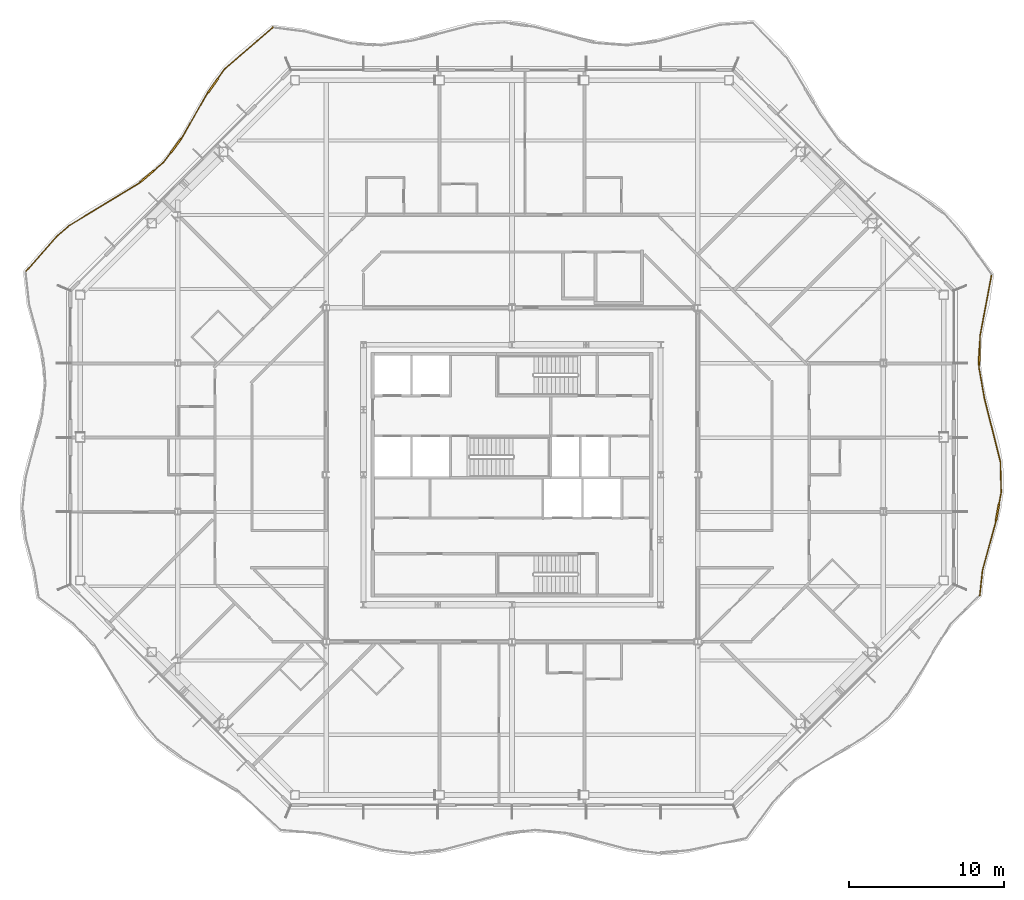
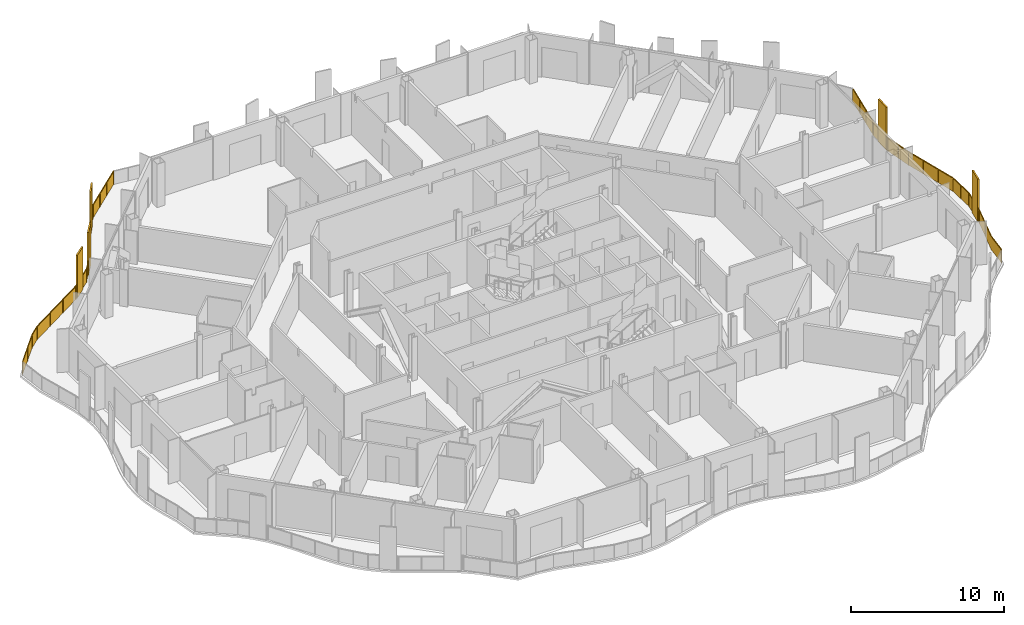
# One storey, part 19 of 21: 2 railings.
"""IFC4 building model written with IfcOpenShell, lengths in metres."""

from ifc_helpers import new_model, si_unit, direction, frame, origin, origin_2d, place, context, subcontext, project, spatial, polyline, rectangle, outline, extrude, material, type_object, element, save


model = new_model("IFC4")

# Units and contexts
model_context = context("Model", 3, precision=1e-05, world=origin(), true_north=direction((0.0, 1.0)))
body_context = subcontext(model_context, "Body", "Model", "MODEL_VIEW")
ifc_project = project(units=[si_unit("LENGTHUNIT", "METRE"), si_unit("AREAUNIT", "SQUARE_METRE"), si_unit("VOLUMEUNIT", "CUBIC_METRE"), si_unit("PLANEANGLEUNIT", "RADIAN"), si_unit("MASSUNIT", "GRAM", prefix="KILO")], contexts=[model_context])

# Site, building, storey
site_placement = place(None, origin())
site = spatial("IfcSite", under=ifc_project, at=site_placement, CompositionType="ELEMENT")
building_placement = place(site_placement, origin())
building = spatial("IfcBuilding", under=site, at=building_placement, Name="Cairn Pilgrim Tower", CompositionType="ELEMENT")
storey_placement = place(building_placement, frame((0.0, 0.0, 154.199951171875)))
storey = spatial("IfcBuildingStorey", under=building, at=storey_placement, Name="L38", CompositionType="ELEMENT", Elevation=154.199951171875)

# Railings
ifc_material = material(Name="Bronze anodised aluminium rail, posts and fin screens with laminated glass infill", Category="aluminium")
railing_type = type_object("IfcRailingType", Name="BALCONY GUARD WITH FIN SCREENS", PredefinedType="GUARDRAIL", material=ifc_material)
railing_1_placement = place(storey_placement, frame((37.433837890625, -5.383544921875, 0.0)))
element("IfcRailing", 1, at=railing_1_placement, inside=storey, type_object=railing_type, Name="Balcony guard BGF-3 with fin screens", PredefinedType="GUARDRAIL", context=body_context, shape_type="SweptSolid", body=[
    extrude(rectangle(XDim=0.050048828125, YDim=0.050048828125, at=origin_2d()), frame((0.0, 0.0, 1.0751953125), z_axis=(0.107721653402, 0.994181092854, 0.0), x_axis=(-0.994181092854, 0.107721653402, 0.0)), (0.0, 0.0, 1.0), 1.6318359375),
    extrude(rectangle(XDim=0.050048828125, YDim=0.050048828125, at=origin_2d()), frame((0.17578125, 1.622314453125, 1.0751953125), z_axis=(0.265536563011, 0.964100790221, 0.0), x_axis=(-0.964100790221, 0.265536563011, 0.0)), (0.0, 0.0, 1.0), 3.14990234375),
    extrude(rectangle(XDim=1.10009765625, YDim=0.110107421875, at=origin_2d()), frame((1.139404296875, 5.34765625, 0.0), z_axis=(0.0, 0.0, 1.0), x_axis=(0.181685040883, 0.983356774482, 0.0)), (0.0, 0.0, 1.0), 3.39990234375),
    extrude(rectangle(XDim=0.050048828125, YDim=0.050048828125, at=origin_2d()), frame((1.01220703125, 4.6591796875, 1.0751953125), z_axis=(0.181685040883, 0.983356774482, 0.0), x_axis=(-0.983356774482, 0.181685040883, 0.0)), (0.0, 0.0, 1.0), 0.150146484375),
    extrude(rectangle(XDim=0.050048828125, YDim=0.050048828125, at=origin_2d()), frame((1.2392578125, 5.888427734375, 1.0751953125), z_axis=(0.181685040883, 0.983356774482, 0.0), x_axis=(-0.983356774482, 0.181685040883, 0.0)), (0.0, 0.0, 1.0), 0.782958984375),
    extrude(rectangle(XDim=0.050048828125, YDim=0.050048828125, at=origin_2d()), frame((1.381591796875, 6.658447265625, 1.0751953125), z_axis=(-0.026755304945, 0.999642012751, 0.0), x_axis=(-0.999642012751, -0.026755304945, 0.0)), (0.0, 0.0, 1.0), 1.9892578125),
    extrude(rectangle(XDim=0.050048828125, YDim=0.050048828125, at=origin_2d()), frame((1.328369140625, 8.64697265625, 1.0751953125), z_axis=(-0.246014670835, 0.969266104707, 0.0), x_axis=(-0.969266104707, -0.246014670835, 0.0)), (0.0, 0.0, 1.0), 4.1591796875),
    extrude(rectangle(XDim=0.050048828125, YDim=0.050048828125, at=origin_2d()), frame((0.30517578125, 12.67822265625, 1.0751953125), z_axis=(-0.174678340577, 0.984625551838, 0.0), x_axis=(-0.984625551838, -0.174678340577, 0.0)), (0.0, 0.0, 1.0), 2.07421875),
    extrude(rectangle(XDim=1.10009765625, YDim=0.110107421875, at=origin_2d()), frame((-0.03173828125, 15.419921875, 0.0), z_axis=(0.0, 0.0, 1.0), x_axis=(0.036209849743, 0.999344208359, 0.0)), (0.0, 0.0, 1.0), 3.39990234375),
    extrude(rectangle(XDim=0.050048828125, YDim=0.050048828125, at=origin_2d()), frame((-0.05712890625, 14.720458984375, 1.0751953125), z_axis=(0.036209849743, 0.999344208359, 0.0), x_axis=(-0.999344208359, 0.036209849743, 0.0)), (0.0, 0.0, 1.0), 0.14990234375),
    extrude(rectangle(XDim=0.050048828125, YDim=0.050048828125, at=origin_2d()), frame((-0.011962890625, 15.969482421875, 1.0751953125), z_axis=(0.036209849743, 0.999344208359, 0.0), x_axis=(-0.999344208359, 0.036209849743, 0.0)), (0.0, 0.0, 1.0), 0.7998046875),
    extrude(rectangle(XDim=0.050048828125, YDim=0.050048828125, at=origin_2d()), frame((0.01708984375, 16.768798828125, 1.0751953125), z_axis=(0.185485249806, 0.982647048591, 0.0), x_axis=(-0.982647048591, 0.185485249806, 0.0)), (0.0, 0.0, 1.0), 3.9658203125),
    extrude(rectangle(XDim=0.050048828125, YDim=0.050048828125, at=origin_2d()), origin(), (0.0, 0.0, 1.0), 1.050048828125),
    extrude(rectangle(XDim=0.050048828125, YDim=0.050048828125, at=origin_2d()), frame((0.17578125, 1.622314453125, 0.0)), (0.0, 0.0, 1.0), 1.050048828125),
    extrude(rectangle(XDim=0.050048828125, YDim=0.050048828125, at=origin_2d()), frame((0.593994140625, 3.140625, 0.0)), (0.0, 0.0, 1.0), 1.050048828125),
    extrude(rectangle(XDim=0.050048828125, YDim=0.050048828125, at=origin_2d()), frame((1.01220703125, 4.6591796875, 0.0)), (0.0, 0.0, 1.0), 1.050048828125),
    extrude(rectangle(XDim=0.050048828125, YDim=0.050048828125, at=origin_2d()), frame((1.034912109375, 4.7822265625, 0.0)), (0.0, 0.0, 1.0), 1.050048828125),
    extrude(rectangle(XDim=0.050048828125, YDim=0.050048828125, at=origin_2d()), frame((1.243896484375, 5.9130859375, 0.0)), (0.0, 0.0, 1.0), 1.050048828125),
    extrude(rectangle(XDim=0.050048828125, YDim=0.050048828125, at=origin_2d()), frame((1.381591796875, 6.658447265625, 0.0)), (0.0, 0.0, 1.0), 1.050048828125),
    extrude(rectangle(XDim=0.050048828125, YDim=0.050048828125, at=origin_2d()), frame((1.35498046875, 7.65283203125, 0.0)), (0.0, 0.0, 1.0), 1.050048828125),
    extrude(rectangle(XDim=0.050048828125, YDim=0.050048828125, at=origin_2d()), frame((1.328369140625, 8.64697265625, 0.0)), (0.0, 0.0, 1.0), 1.050048828125),
    extrude(rectangle(XDim=0.050048828125, YDim=0.050048828125, at=origin_2d()), frame((0.9873046875, 9.99072265625, 0.0)), (0.0, 0.0, 1.0), 1.050048828125),
    extrude(rectangle(XDim=0.050048828125, YDim=0.050048828125, at=origin_2d()), frame((0.646240234375, 11.33447265625, 0.0)), (0.0, 0.0, 1.0), 1.050048828125),
    extrude(rectangle(XDim=0.050048828125, YDim=0.050048828125, at=origin_2d()), frame((0.30517578125, 12.67822265625, 0.0)), (0.0, 0.0, 1.0), 1.050048828125),
    extrude(rectangle(XDim=0.050048828125, YDim=0.050048828125, at=origin_2d()), frame((0.1240234375, 13.69921875, 0.0)), (0.0, 0.0, 1.0), 1.050048828125),
    extrude(rectangle(XDim=0.050048828125, YDim=0.050048828125, at=origin_2d()), frame((-0.05712890625, 14.720458984375, 0.0)), (0.0, 0.0, 1.0), 1.050048828125),
    extrude(rectangle(XDim=0.050048828125, YDim=0.050048828125, at=origin_2d()), frame((-0.052490234375, 14.84521484375, 0.0)), (0.0, 0.0, 1.0), 1.050048828125),
    extrude(rectangle(XDim=0.050048828125, YDim=0.050048828125, at=origin_2d()), frame((-0.010986328125, 15.99462890625, 0.0)), (0.0, 0.0, 1.0), 1.050048828125),
    extrude(rectangle(XDim=0.050048828125, YDim=0.050048828125, at=origin_2d()), frame((0.01708984375, 16.768798828125, 0.0)), (0.0, 0.0, 1.0), 1.050048828125),
    extrude(rectangle(XDim=0.050048828125, YDim=0.050048828125, at=origin_2d()), frame((0.26220703125, 18.06787109375, 0.0)), (0.0, 0.0, 1.0), 1.050048828125),
    extrude(rectangle(XDim=0.050048828125, YDim=0.050048828125, at=origin_2d()), frame((0.507568359375, 19.36669921875, 0.0)), (0.0, 0.0, 1.0), 1.050048828125),
    extrude(rectangle(XDim=0.050048828125, YDim=0.050048828125, at=origin_2d()), frame((0.752685546875, 20.665771484375, 0.0)), (0.0, 0.0, 1.0), 1.050048828125),
    extrude(outline(polyline([(0.02490234375, 0.0), (1.606689453125, 0.0), (1.606689453125, 1.050048828125), (0.02490234375, 1.050048828125), (0.02490234375, 0.0)])), frame((-0.005859375, 0.000732421875, 0.0), z_axis=(0.994181092854, -0.107721653402, 0.0), x_axis=(0.107721653402, 0.994181092854, 0.0)), (0.0, 0.0, 1.0), 0.011962890625),
    extrude(outline(polyline([(0.02490234375, 0.0), (1.550048828125, 0.0), (1.550048828125, 1.050048828125), (0.02490234375, 1.050048828125), (0.02490234375, 0.0)])), frame((0.169921875, 1.6240234375, 0.0), z_axis=(0.964100790221, -0.265536563011, 0.0), x_axis=(0.265536563011, 0.964100790221, 0.0)), (0.0, 0.0, 1.0), 0.011962890625),
    extrude(outline(polyline([(0.02490234375, 0.0), (1.550048828125, 0.0), (1.550048828125, 1.050048828125), (0.02490234375, 1.050048828125), (0.02490234375, 0.0)])), frame((0.588134765625, 3.142333984375, 0.0), z_axis=(0.964100790221, -0.265536563011, 0.0), x_axis=(0.265536563011, 0.964100790221, 0.0)), (0.0, 0.0, 1.0), 0.011962890625),
    extrude(outline(polyline([(0.02490234375, 0.0), (0.10009765625, 0.0), (0.10009765625, 1.050048828125), (0.02490234375, 1.050048828125), (0.02490234375, 0.0)])), frame((1.00634765625, 4.66015625, 0.0), z_axis=(0.983356774482, -0.181685040883, 0.0), x_axis=(0.181685040883, 0.983356774482, 0.0)), (0.0, 0.0, 1.0), 0.011962890625),
    extrude(outline(polyline([(0.02490234375, 0.0), (0.73291015625, 0.0), (0.73291015625, 1.050048828125), (0.02490234375, 1.050048828125), (0.02490234375, 0.0)])), frame((1.238037109375, 5.9140625, 0.0), z_axis=(0.983356774482, -0.181685040883, 0.0), x_axis=(0.181685040883, 0.983356774482, 0.0)), (0.0, 0.0, 1.0), 0.011962890625),
    extrude(outline(polyline([(0.02490234375, 0.0), (0.969482421875, 0.0), (0.969482421875, 1.050048828125), (0.02490234375, 1.050048828125), (0.02490234375, 0.0)])), frame((1.375732421875, 6.658203125, 0.0), z_axis=(0.999642012751, 0.026755304945, 0.0), x_axis=(-0.026755304945, 0.999642012751, 0.0)), (0.0, 0.0, 1.0), 0.011962890625),
    extrude(outline(polyline([(0.02490234375, 0.0), (0.969482421875, 0.0), (0.969482421875, 1.050048828125), (0.02490234375, 1.050048828125), (0.02490234375, 0.0)])), frame((1.34912109375, 7.652587890625, 0.0), z_axis=(0.999642012751, 0.026755304945, 0.0), x_axis=(-0.026755304945, 0.999642012751, 0.0)), (0.0, 0.0, 1.0), 0.011962890625),
    extrude(outline(polyline([(0.02490234375, 0.0), (1.361328125, 0.0), (1.361328125, 1.050048828125), (0.02490234375, 1.050048828125), (0.02490234375, 0.0)])), frame((1.322509765625, 8.6455078125, 0.0), z_axis=(0.969266104707, 0.246014670835, 0.0), x_axis=(-0.246014670835, 0.969266104707, 0.0)), (0.0, 0.0, 1.0), 0.011962890625),
    extrude(outline(polyline([(0.02490234375, 0.0), (1.361328125, 0.0), (1.361328125, 1.050048828125), (0.02490234375, 1.050048828125), (0.02490234375, 0.0)])), frame((0.9814453125, 9.9892578125, 0.0), z_axis=(0.969266104707, 0.246014670835, 0.0), x_axis=(-0.246014670835, 0.969266104707, 0.0)), (0.0, 0.0, 1.0), 0.011962890625),
    extrude(outline(polyline([(0.02490234375, 0.0), (1.361328125, 0.0), (1.361328125, 1.050048828125), (0.02490234375, 1.050048828125), (0.02490234375, 0.0)])), frame((0.640380859375, 11.3330078125, 0.0), z_axis=(0.969266104707, 0.246014670835, 0.0), x_axis=(-0.246014670835, 0.969266104707, 0.0)), (0.0, 0.0, 1.0), 0.011962890625),
    extrude(outline(polyline([(0.02490234375, 0.0), (1.011962890625, 0.0), (1.011962890625, 1.050048828125), (0.02490234375, 1.050048828125), (0.02490234375, 0.0)])), frame((0.29931640625, 12.67724609375, 0.0), z_axis=(0.984625551838, 0.174678340577, 0.0), x_axis=(-0.174678340577, 0.984625551838, 0.0)), (0.0, 0.0, 1.0), 0.011962890625),
    extrude(outline(polyline([(0.02490234375, 0.0), (1.011962890625, 0.0), (1.011962890625, 1.050048828125), (0.02490234375, 1.050048828125), (0.02490234375, 0.0)])), frame((0.1181640625, 13.6982421875, 0.0), z_axis=(0.984625551838, 0.174678340577, 0.0), x_axis=(-0.174678340577, 0.984625551838, 0.0)), (0.0, 0.0, 1.0), 0.011962890625),
    extrude(outline(polyline([(0.02490234375, 0.0), (0.099853515625, 0.0), (0.099853515625, 1.050048828125), (0.02490234375, 1.050048828125), (0.02490234375, 0.0)])), frame((-0.06298828125, 14.720703125, 0.0), z_axis=(0.999344208359, -0.036209849743, 0.0), x_axis=(0.036209849743, 0.999344208359, 0.0)), (0.0, 0.0, 1.0), 0.011962890625),
    extrude(outline(polyline([(0.02490234375, 0.0), (0.749755859375, 0.0), (0.749755859375, 1.050048828125), (0.02490234375, 1.050048828125), (0.02490234375, 0.0)])), frame((-0.016845703125, 15.994873046875, 0.0), z_axis=(0.999344208359, -0.036209849743, 0.0), x_axis=(0.036209849743, 0.999344208359, 0.0)), (0.0, 0.0, 1.0), 0.011962890625),
    extrude(outline(polyline([(0.02490234375, 0.0), (1.296875, 0.0), (1.296875, 1.050048828125), (0.02490234375, 1.050048828125), (0.02490234375, 0.0)])), frame((0.01123046875, 16.77001953125, 0.0), z_axis=(0.982647048591, -0.185485249806, 0.0), x_axis=(0.185485249806, 0.982647048591, 0.0)), (0.0, 0.0, 1.0), 0.011962890625),
    extrude(outline(polyline([(0.02490234375, 0.0), (1.296875, 0.0), (1.296875, 1.050048828125), (0.02490234375, 1.050048828125), (0.02490234375, 0.0)])), frame((0.25634765625, 18.06884765625, 0.0), z_axis=(0.982647048591, -0.185485249806, 0.0), x_axis=(0.185485249806, 0.982647048591, 0.0)), (0.0, 0.0, 1.0), 0.011962890625),
    extrude(outline(polyline([(0.02490234375, 0.0), (1.296875, 0.0), (1.296875, 1.050048828125), (0.02490234375, 1.050048828125), (0.02490234375, 0.0)])), frame((0.501708984375, 19.367919921875, 0.0), z_axis=(0.982647048591, -0.185485249806, 0.0), x_axis=(0.185485249806, 0.982647048591, 0.0)), (0.0, 0.0, 1.0), 0.011962890625),
])
railing_2_placement = place(storey_placement, frame((-8.26025390625, 31.316650390625, 0.0)))
element("IfcRailing", 2, at=railing_2_placement, inside=storey, type_object=railing_type, Name="Balcony guard BGF-6 with fin screens", PredefinedType="GUARDRAIL", context=body_context, shape_type="SweptSolid", body=[
    extrude(rectangle(XDim=0.050048828125, YDim=0.050048828125, at=origin_2d()), frame((0.0, 0.0, 1.0751953125), z_axis=(-0.757119664719, -0.653276215161, 0.0), x_axis=(0.653276215161, -0.757119664719, 0.0)), (0.0, 0.0, 1.0), 4.08837890625),
    extrude(rectangle(XDim=1.10009765625, YDim=0.110107421875, at=origin_2d()), frame((-3.871826171875, -3.762451171875, 0.0), z_axis=(0.0, 0.0, 1.0), x_axis=(-0.579640389645, -0.814872394116, 0.0)), (0.0, 0.0, 1.0), 3.39990234375),
    extrude(rectangle(XDim=0.050048828125, YDim=0.050048828125, at=origin_2d()), frame((-3.095458984375, -2.6708984375, 1.0751953125), z_axis=(-0.579640389645, -0.814872394116, 0.0), x_axis=(0.814872394116, -0.579640389645, 0.0)), (0.0, 0.0, 1.0), 0.78955078125),
    extrude(rectangle(XDim=0.050048828125, YDim=0.050048828125, at=origin_2d()), frame((-4.190673828125, -4.21044921875, 1.0751953125), z_axis=(-0.579640389645, -0.814872394116, 0.0), x_axis=(0.814872394116, -0.579640389645, 0.0)), (0.0, 0.0, 1.0), 0.14990234375),
    extrude(rectangle(XDim=0.050048828125, YDim=0.050048828125, at=origin_2d()), frame((-4.277587890625, -4.332763671875, 1.0751953125), z_axis=(-0.492894088965, -0.870089315567, 0.0), x_axis=(0.870089315567, -0.492894088965, 0.0)), (0.0, 0.0, 1.0), 3.171630859375),
    extrude(rectangle(XDim=1.10009765625, YDim=0.110107421875, at=origin_2d()), frame((-6.261962890625, -7.6513671875, 0.0), z_axis=(0.0, 0.0, 1.0), x_axis=(-0.601630291998, -0.798774681466, 0.0)), (0.0, 0.0, 1.0), 3.39990234375),
    extrude(rectangle(XDim=0.050048828125, YDim=0.050048828125, at=origin_2d()), frame((-5.8408203125, -7.09228515625, 1.0751953125), z_axis=(-0.601630291998, -0.798774681466, 0.0), x_axis=(0.798774681466, -0.601630291998, 0.0)), (0.0, 0.0, 1.0), 0.150146484375),
    extrude(rectangle(XDim=0.050048828125, YDim=0.050048828125, at=origin_2d()), frame((-6.593017578125, -8.0908203125, 1.0751953125), z_axis=(-0.601630291998, -0.798774681466, 0.0), x_axis=(0.798774681466, -0.601630291998, 0.0)), (0.0, 0.0, 1.0), 0.8330078125),
    extrude(rectangle(XDim=1.10009765625, YDim=0.110107421875, at=origin_2d()), frame((-8.139404296875, -9.64453125, 0.0), z_axis=(0.0, 0.0, 1.0), x_axis=(-0.761945132702, -0.647641578925, 0.0)), (0.0, 0.0, 1.0), 3.39990234375),
    extrude(rectangle(XDim=0.050048828125, YDim=0.050048828125, at=origin_2d()), frame((-7.093994140625, -8.756103515625, 1.0751953125), z_axis=(-0.761945132702, -0.647641578925, 0.0), x_axis=(0.647641578925, -0.761945132702, 0.0)), (0.0, 0.0, 1.0), 0.822021484375),
    extrude(rectangle(XDim=0.050048828125, YDim=0.050048828125, at=origin_2d()), frame((-8.558349609375, -10.000732421875, 1.0751953125), z_axis=(-0.761945132702, -0.647641578925, 0.0), x_axis=(0.647641578925, -0.761945132702, 0.0)), (0.0, 0.0, 1.0), 0.14990234375),
    extrude(rectangle(XDim=0.050048828125, YDim=0.050048828125, at=origin_2d()), frame((-8.672607421875, -10.097900390625, 1.0751953125), z_axis=(-0.85564661817, -0.517560493869, 0.0), x_axis=(0.517560493869, -0.85564661817, 0.0)), (0.0, 0.0, 1.0), 5.24267578125),
    extrude(rectangle(XDim=0.050048828125, YDim=0.050048828125, at=origin_2d()), frame((-13.158447265625, -12.811279296875, 1.0751953125), z_axis=(-0.757389108918, -0.652963810401, 0.0), x_axis=(0.652963810401, -0.757389108918, 0.0)), (0.0, 0.0, 1.0), 0.998291015625),
    extrude(rectangle(XDim=0.050048828125, YDim=0.050048828125, at=origin_2d()), frame((-13.91455078125, -13.463134765625, 1.0751953125), z_axis=(-0.662300709334, -0.749238126643, 0.0), x_axis=(0.749238126643, -0.662300709334, 0.0)), (0.0, 0.0, 1.0), 3.066650390625),
    extrude(rectangle(XDim=0.050048828125, YDim=0.050048828125, at=origin_2d()), origin(), (0.0, 0.0, 1.0), 1.050048828125),
    extrude(rectangle(XDim=0.050048828125, YDim=0.050048828125, at=origin_2d()), frame((-1.03173828125, -0.890380859375, 0.0)), (0.0, 0.0, 1.0), 1.050048828125),
    extrude(rectangle(XDim=0.050048828125, YDim=0.050048828125, at=origin_2d()), frame((-2.063720703125, -1.780517578125, 0.0)), (0.0, 0.0, 1.0), 1.050048828125),
    extrude(rectangle(XDim=0.050048828125, YDim=0.050048828125, at=origin_2d()), frame((-3.095458984375, -2.6708984375, 0.0)), (0.0, 0.0, 1.0), 1.050048828125),
    extrude(rectangle(XDim=0.050048828125, YDim=0.050048828125, at=origin_2d()), frame((-3.53857421875, -3.293701171875, 0.0)), (0.0, 0.0, 1.0), 1.050048828125),
    extrude(rectangle(XDim=0.050048828125, YDim=0.050048828125, at=origin_2d()), frame((-4.205078125, -4.23095703125, 0.0)), (0.0, 0.0, 1.0), 1.050048828125),
    extrude(rectangle(XDim=0.050048828125, YDim=0.050048828125, at=origin_2d()), frame((-4.277587890625, -4.332763671875, 0.0)), (0.0, 0.0, 1.0), 1.050048828125),
    extrude(rectangle(XDim=0.050048828125, YDim=0.050048828125, at=origin_2d()), frame((-5.05908203125, -5.71240234375, 0.0)), (0.0, 0.0, 1.0), 1.050048828125),
    extrude(rectangle(XDim=0.050048828125, YDim=0.050048828125, at=origin_2d()), frame((-5.8408203125, -7.09228515625, 0.0)), (0.0, 0.0, 1.0), 1.050048828125),
    extrude(rectangle(XDim=0.050048828125, YDim=0.050048828125, at=origin_2d()), frame((-5.916015625, -7.192138671875, 0.0)), (0.0, 0.0, 1.0), 1.050048828125),
    extrude(rectangle(XDim=0.050048828125, YDim=0.050048828125, at=origin_2d()), frame((-6.60791015625, -8.11083984375, 0.0)), (0.0, 0.0, 1.0), 1.050048828125),
    extrude(rectangle(XDim=0.050048828125, YDim=0.050048828125, at=origin_2d()), frame((-7.093994140625, -8.756103515625, 0.0)), (0.0, 0.0, 1.0), 1.050048828125),
    extrude(rectangle(XDim=0.050048828125, YDim=0.050048828125, at=origin_2d()), frame((-7.701171875, -9.272216796875, 0.0)), (0.0, 0.0, 1.0), 1.050048828125),
    extrude(rectangle(XDim=0.050048828125, YDim=0.050048828125, at=origin_2d()), frame((-8.577392578125, -10.01708984375, 0.0)), (0.0, 0.0, 1.0), 1.050048828125),
    extrude(rectangle(XDim=0.050048828125, YDim=0.050048828125, at=origin_2d()), frame((-8.672607421875, -10.097900390625, 0.0)), (0.0, 0.0, 1.0), 1.050048828125),
    extrude(rectangle(XDim=0.050048828125, YDim=0.050048828125, at=origin_2d()), frame((-10.16796875, -11.00244140625, 0.0)), (0.0, 0.0, 1.0), 1.050048828125),
    extrude(rectangle(XDim=0.050048828125, YDim=0.050048828125, at=origin_2d()), frame((-11.6630859375, -11.90673828125, 0.0)), (0.0, 0.0, 1.0), 1.050048828125),
    extrude(rectangle(XDim=0.050048828125, YDim=0.050048828125, at=origin_2d()), frame((-13.158447265625, -12.811279296875, 0.0)), (0.0, 0.0, 1.0), 1.050048828125),
    extrude(rectangle(XDim=0.050048828125, YDim=0.050048828125, at=origin_2d()), frame((-13.91455078125, -13.463134765625, 0.0)), (0.0, 0.0, 1.0), 1.050048828125),
    extrude(rectangle(XDim=0.050048828125, YDim=0.050048828125, at=origin_2d()), frame((-14.93017578125, -14.61181640625, 0.0)), (0.0, 0.0, 1.0), 1.050048828125),
    extrude(rectangle(XDim=0.050048828125, YDim=0.050048828125, at=origin_2d()), frame((-15.945556640625, -15.7607421875, 0.0)), (0.0, 0.0, 1.0), 1.050048828125),
    extrude(outline(polyline([(0.02490234375, 0.0), (1.337890625, 0.0), (1.337890625, 1.050048828125), (0.02490234375, 1.050048828125), (0.02490234375, 0.0)])), frame((0.00390625, -0.004638671875, 0.0), z_axis=(-0.653276215161, 0.757119664719, 0.0), x_axis=(-0.757119664719, -0.653276215161, 0.0)), (0.0, 0.0, 1.0), 0.011962890625),
    extrude(outline(polyline([(0.02490234375, 0.0), (1.337890625, 0.0), (1.337890625, 1.050048828125), (0.02490234375, 1.050048828125), (0.02490234375, 0.0)])), frame((-1.02783203125, -0.894775390625, 0.0), z_axis=(-0.653276215161, 0.757119664719, 0.0), x_axis=(-0.757119664719, -0.653276215161, 0.0)), (0.0, 0.0, 1.0), 0.011962890625),
    extrude(outline(polyline([(0.02490234375, 0.0), (1.337890625, 0.0), (1.337890625, 1.050048828125), (0.02490234375, 1.050048828125), (0.02490234375, 0.0)])), frame((-2.059814453125, -1.78515625, 0.0), z_axis=(-0.653276215161, 0.757119664719, 0.0), x_axis=(-0.757119664719, -0.653276215161, 0.0)), (0.0, 0.0, 1.0), 0.011962890625),
    extrude(outline(polyline([(0.02490234375, 0.0), (0.739501953125, 0.0), (0.739501953125, 1.050048828125), (0.02490234375, 1.050048828125), (0.02490234375, 0.0)])), frame((-3.090576171875, -2.67431640625, 0.0), z_axis=(-0.814872394116, 0.579640389645, 0.0), x_axis=(-0.579640389645, -0.814872394116, 0.0)), (0.0, 0.0, 1.0), 0.011962890625),
    extrude(outline(polyline([(0.02490234375, 0.0), (0.099853515625, 0.0), (0.099853515625, 1.050048828125), (0.02490234375, 1.050048828125), (0.02490234375, 0.0)])), frame((-4.2001953125, -4.234375, 0.0), z_axis=(-0.814872394116, 0.579640389645, 0.0), x_axis=(-0.579640389645, -0.814872394116, 0.0)), (0.0, 0.0, 1.0), 0.011962890625),
    extrude(outline(polyline([(0.02490234375, 0.0), (1.560791015625, 0.0), (1.560791015625, 1.050048828125), (0.02490234375, 1.050048828125), (0.02490234375, 0.0)])), frame((-4.2724609375, -4.335693359375, 0.0), z_axis=(-0.870089315567, 0.492894088965, 0.0), x_axis=(-0.492894088965, -0.870089315567, 0.0)), (0.0, 0.0, 1.0), 0.011962890625),
    extrude(outline(polyline([(0.02490234375, 0.0), (1.560791015625, 0.0), (1.560791015625, 1.050048828125), (0.02490234375, 1.050048828125), (0.02490234375, 0.0)])), frame((-5.053955078125, -5.715576171875, 0.0), z_axis=(-0.870089315567, 0.492894088965, 0.0), x_axis=(-0.492894088965, -0.870089315567, 0.0)), (0.0, 0.0, 1.0), 0.011962890625),
    extrude(outline(polyline([(0.02490234375, 0.0), (0.10009765625, 0.0), (0.10009765625, 1.050048828125), (0.02490234375, 1.050048828125), (0.02490234375, 0.0)])), frame((-5.8359375, -7.095947265625, 0.0), z_axis=(-0.798774681466, 0.601630291998, 0.0), x_axis=(-0.601630291998, -0.798774681466, 0.0)), (0.0, 0.0, 1.0), 0.011962890625),
    extrude(outline(polyline([(0.02490234375, 0.0), (0.782958984375, 0.0), (0.782958984375, 1.050048828125), (0.02490234375, 1.050048828125), (0.02490234375, 0.0)])), frame((-6.603271484375, -8.114501953125, 0.0), z_axis=(-0.798774681466, 0.601630291998, 0.0), x_axis=(-0.601630291998, -0.798774681466, 0.0)), (0.0, 0.0, 1.0), 0.011962890625),
    extrude(outline(polyline([(0.02490234375, 0.0), (0.77197265625, 0.0), (0.77197265625, 1.050048828125), (0.02490234375, 1.050048828125), (0.02490234375, 0.0)])), frame((-7.090087890625, -8.7607421875, 0.0), z_axis=(-0.647641578925, 0.761945132702, 0.0), x_axis=(-0.761945132702, -0.647641578925, 0.0)), (0.0, 0.0, 1.0), 0.011962890625),
    extrude(outline(polyline([(0.02490234375, 0.0), (0.099853515625, 0.0), (0.099853515625, 1.050048828125), (0.02490234375, 1.050048828125), (0.02490234375, 0.0)])), frame((-8.573486328125, -10.021484375, 0.0), z_axis=(-0.647641578925, 0.761945132702, 0.0), x_axis=(-0.761945132702, -0.647641578925, 0.0)), (0.0, 0.0, 1.0), 0.011962890625),
    extrude(outline(polyline([(0.02490234375, 0.0), (1.722412109375, 0.0), (1.722412109375, 1.050048828125), (0.02490234375, 1.050048828125), (0.02490234375, 0.0)])), frame((-8.66943359375, -10.10302734375, 0.0), z_axis=(-0.517560493869, 0.85564661817, 0.0), x_axis=(-0.85564661817, -0.517560493869, 0.0)), (0.0, 0.0, 1.0), 0.011962890625),
    extrude(outline(polyline([(0.02490234375, 0.0), (1.722412109375, 0.0), (1.722412109375, 1.050048828125), (0.02490234375, 1.050048828125), (0.02490234375, 0.0)])), frame((-10.164794921875, -11.007568359375, 0.0), z_axis=(-0.517560493869, 0.85564661817, 0.0), x_axis=(-0.85564661817, -0.517560493869, 0.0)), (0.0, 0.0, 1.0), 0.011962890625),
    extrude(outline(polyline([(0.02490234375, 0.0), (1.722412109375, 0.0), (1.722412109375, 1.050048828125), (0.02490234375, 1.050048828125), (0.02490234375, 0.0)])), frame((-11.66015625, -11.911865234375, 0.0), z_axis=(-0.517560493869, 0.85564661817, 0.0), x_axis=(-0.85564661817, -0.517560493869, 0.0)), (0.0, 0.0, 1.0), 0.011962890625),
    extrude(outline(polyline([(0.02490234375, 0.0), (0.973388671875, 0.0), (0.973388671875, 1.050048828125), (0.02490234375, 1.050048828125), (0.02490234375, 0.0)])), frame((-13.154541015625, -12.81591796875, 0.0), z_axis=(-0.652963810401, 0.757389108918, 0.0), x_axis=(-0.757389108918, -0.652963810401, 0.0)), (0.0, 0.0, 1.0), 0.011962890625),
    extrude(outline(polyline([(0.02490234375, 0.0), (1.50830078125, 0.0), (1.50830078125, 1.050048828125), (0.02490234375, 1.050048828125), (0.02490234375, 0.0)])), frame((-13.91015625, -13.467041015625, 0.0), z_axis=(-0.749238126643, 0.662300709334, 0.0), x_axis=(-0.662300709334, -0.749238126643, 0.0)), (0.0, 0.0, 1.0), 0.011962890625),
    extrude(outline(polyline([(0.02490234375, 0.0), (1.50830078125, 0.0), (1.50830078125, 1.050048828125), (0.02490234375, 1.050048828125), (0.02490234375, 0.0)])), frame((-14.925537109375, -14.615966796875, 0.0), z_axis=(-0.749238126643, 0.662300709334, 0.0), x_axis=(-0.662300709334, -0.749238126643, 0.0)), (0.0, 0.0, 1.0), 0.011962890625),
])

save(model, "model.ifc")
